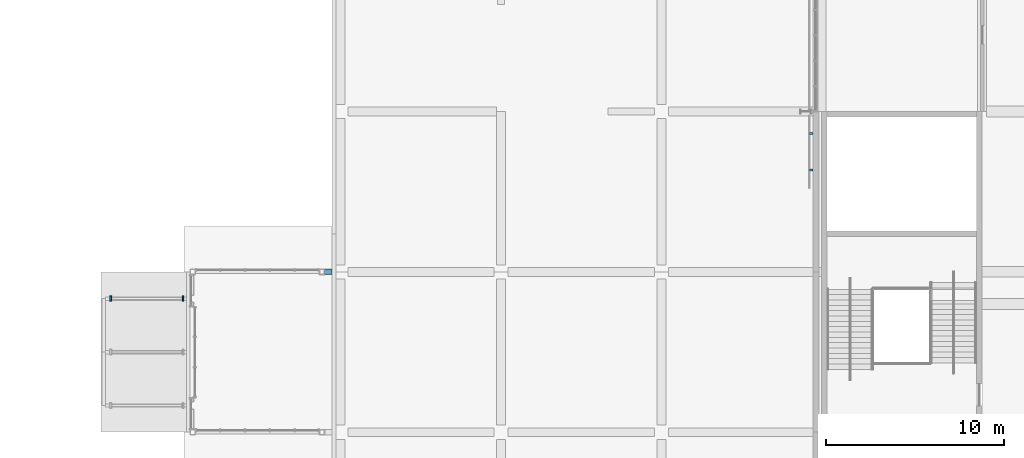
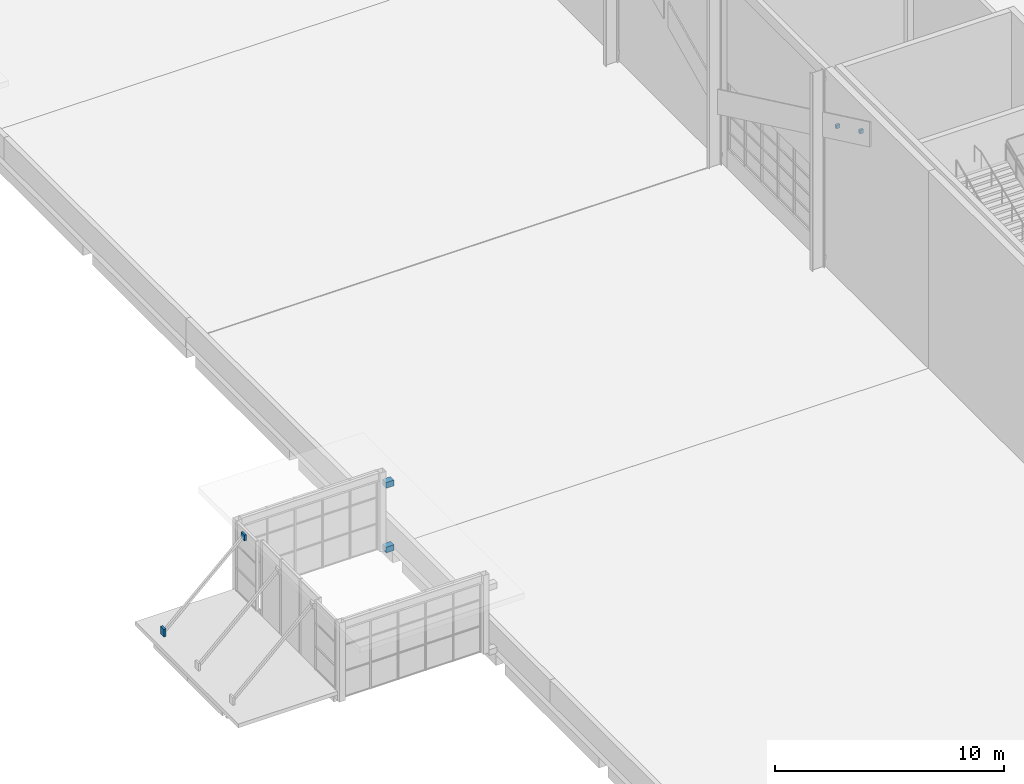
# One storey, part 112 of 182: 6 discrete accessories.
"""IFC4 building model written with IfcOpenShell, lengths in metres."""

from ifc_helpers import new_model, si_unit, direction, frame, origin, origin_2d, place, context, subcontext, project, spatial, rectangle, extrude, material, type_object, element, save


model = new_model("IFC4")

# Units and contexts
model_context = context("Model", 3, precision=1e-05, world=origin(), true_north=direction((0.0, 1.0)))
body_context = subcontext(model_context, "Body", "Model", "MODEL_VIEW")
ifc_project = project(units=[si_unit("LENGTHUNIT", "METRE"), si_unit("AREAUNIT", "SQUARE_METRE"), si_unit("VOLUMEUNIT", "CUBIC_METRE"), si_unit("PLANEANGLEUNIT", "RADIAN"), si_unit("MASSUNIT", "GRAM", prefix="KILO")], contexts=[model_context])

# Site, building, storey
site_placement = place(None, origin())
site = spatial("IfcSite", under=ifc_project, at=site_placement, CompositionType="ELEMENT")
building_placement = place(site_placement, origin())
building = spatial("IfcBuilding", under=site, at=building_placement, Name="Silverbay Arena", CompositionType="ELEMENT")
storey_placement = place(building_placement, frame((0.0, 0.0, 11.5)))
storey = spatial("IfcBuildingStorey", under=building, at=storey_placement, Name="L02", CompositionType="ELEMENT", Elevation=11.5)

# Discrete accessories
ifc_material = material(Name="Steel S355", Category="steel")
discrete_accessory_type = type_object("IfcDiscreteAccessoryType", Name="Steel bracket plate", PredefinedType="BRACKET", material=ifc_material)
for number, where, z_axis, x_axis, name in (
    (1, (26.300048828125, 63.0, -0.14990234375), (0.0, 0.0, 1.0), (1.0, 0.0, 0.0), "Hall column bracket plate"),
    (2, (26.300048828125, 63.0, 3.29638671875), (0.0, 0.0, 1.0), (1.0, 0.0, 0.0), "Hall column bracket plate"),
):
    element("IfcDiscreteAccessory", number, at=place(storey_placement, frame(where, z_axis=z_axis, x_axis=x_axis)), inside=storey, type_object=discrete_accessory_type, Name=name, PredefinedType="BRACKET", context=body_context, shape_type="SweptSolid", body=[
        extrude(rectangle(XDim=0.39990234375, YDim=0.300048828125, at=origin_2d()), origin(), (0.0, 0.0, 1.0), 0.300048828125),
    ])
discrete_accessory_1_placement = place(storey_placement, frame((18.14990234375, 61.5, 4.2001953125), z_axis=(0.0, 0.0, 1.0), x_axis=(1.0, 0.0, 0.0)))
element("IfcDiscreteAccessory", 3, at=discrete_accessory_1_placement, inside=storey, type_object=discrete_accessory_type, Name="Canopy tie roof lug plate", PredefinedType="BRACKET", context=body_context, shape_type="SweptSolid", body=[
    extrude(rectangle(XDim=0.10009765625, YDim=0.300048828125, at=origin_2d()), origin(), (0.0, 0.0, 1.0), 0.300048828125),
])
discrete_accessory_2_placement = place(storey_placement, frame((14.10009765625, 61.5, 0.5), z_axis=(0.0, 0.0, 1.0), x_axis=(1.0, 0.0, 0.0)))
element("IfcDiscreteAccessory", 4, at=discrete_accessory_2_placement, inside=storey, type_object=discrete_accessory_type, Name="Canopy tie edge lug plate", PredefinedType="BRACKET", context=body_context, shape_type="SweptSolid", body=[
    extrude(rectangle(XDim=0.10009765625, YDim=0.300048828125, at=origin_2d()), origin(), (0.0, 0.0, 1.0), 0.39990234375),
])
for number, where, z_axis, x_axis, name in (
    (5, (53.409912109375, 68.72509765625, 9.0947265625), (0.0, 0.0, 1.0), (1.0, 0.0, 0.0), "Band bracket"),
    (6, (53.409912109375, 70.77490234375, 8.12109375), (0.0, 0.0, 1.0), (1.0, 0.0, 0.0), "Band bracket"),
):
    element("IfcDiscreteAccessory", number, at=place(storey_placement, frame(where, z_axis=z_axis, x_axis=x_axis)), inside=storey, type_object=discrete_accessory_type, Name=name, PredefinedType="BRACKET", context=body_context, shape_type="SweptSolid", body=[
        extrude(rectangle(XDim=0.179931640625, YDim=0.1201171875, at=origin_2d()), origin(), (0.0, 0.0, 1.0), 0.199951171875),
    ])

save(model, "model.ifc")
